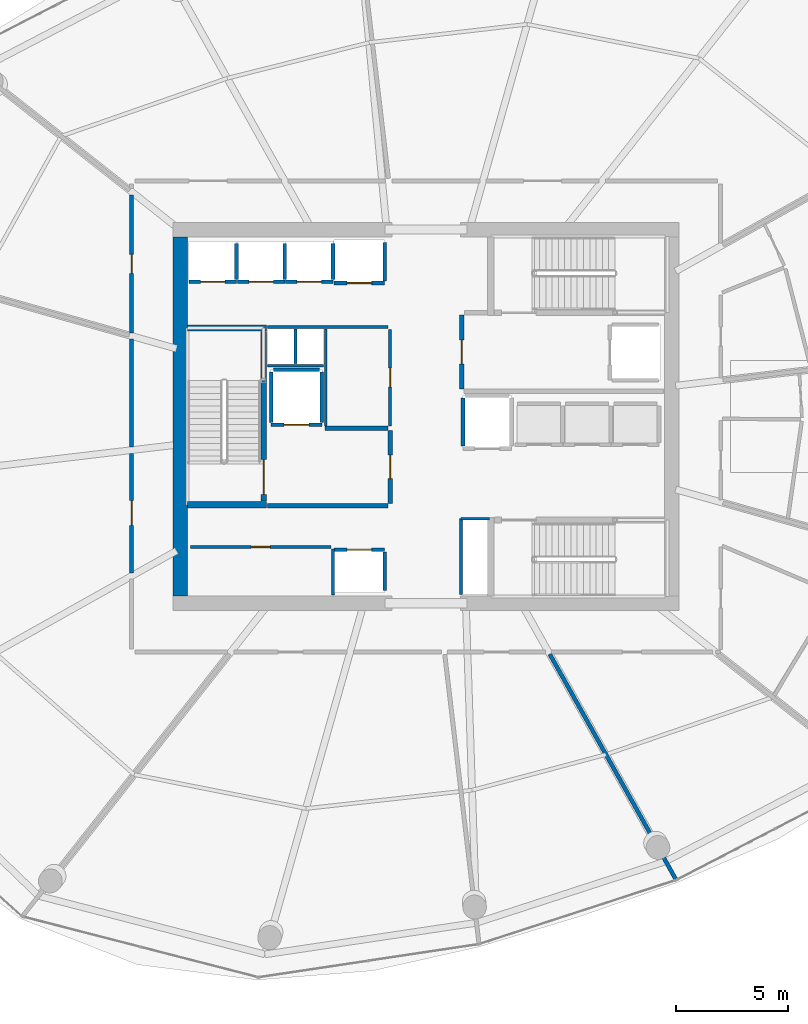
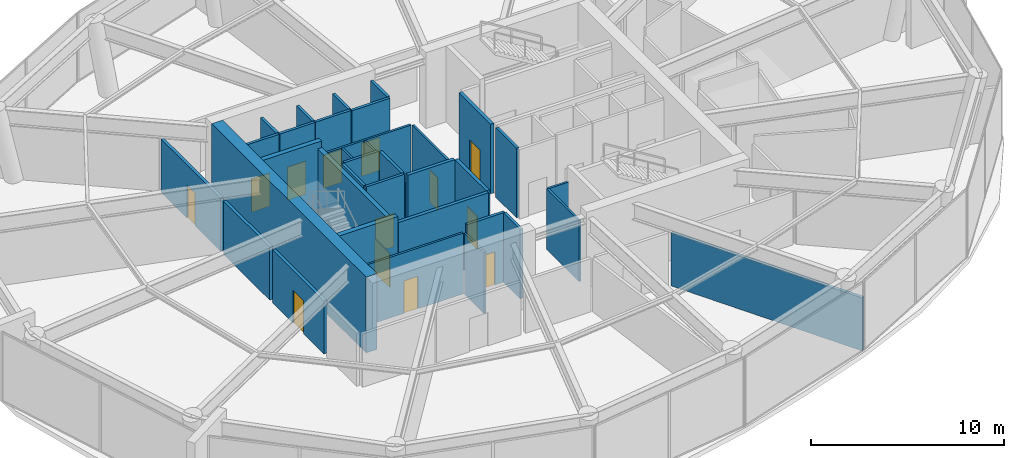
# One storey, part 17 of 22: 36 walls, 13 doors, 13 openings.
"""IFC4 building model written with IfcOpenShell, lengths in metres."""

from ifc_helpers import new_model, si_unit, direction, frame, frame_2d, origin, place, context, subcontext, project, spatial, rectangle, extrude, material, layer, layer_set, type_object, element, fill, save


model = new_model("IFC4")

# Units and contexts
model_context = context("Model", 3, precision=1e-05, world=origin(), true_north=direction((0.0, 1.0)))
body_context = subcontext(model_context, "Body", "Model", "MODEL_VIEW")
ifc_project = project(units=[si_unit("LENGTHUNIT", "METRE"), si_unit("AREAUNIT", "SQUARE_METRE"), si_unit("VOLUMEUNIT", "CUBIC_METRE"), si_unit("PLANEANGLEUNIT", "RADIAN"), si_unit("MASSUNIT", "GRAM", prefix="KILO")], contexts=[model_context])

# Site, building, storey
site_placement = place(None, origin())
site = spatial("IfcSite", under=ifc_project, at=site_placement, CompositionType="ELEMENT")
building_placement = place(site_placement, origin())
building = spatial("IfcBuilding", under=site, at=building_placement, Name="Kazma Halo Residences", CompositionType="ELEMENT")
storey_placement = place(building_placement, frame((0.0, 0.0, 231.89990234375)))
storey = spatial("IfcBuildingStorey", under=building, at=storey_placement, Name="L58", CompositionType="ELEMENT", Elevation=231.89990234375)

# Walls
ifc_material_1 = material(Name="Concrete C60/75", Category="concrete")
ifc_layer_1 = layer(ifc_material_1, 0.64990234375)
ifc_layer_set_1 = layer_set([ifc_layer_1], Name="Concrete C60/75")
wall_type_1 = type_object("IfcWallType", Name="WL-CORE-650", PredefinedType="SHEAR", material=ifc_layer_set_1)
wall_1_placement = place(storey_placement, frame((37.47509765625, 34.0, 0.0), z_axis=(0.0, 0.0, 1.0), x_axis=(0.0, 1.0, 0.0)))
element("IfcWall", 1, at=wall_1_placement, inside=storey, type_object=wall_type_1, Name="L58 central core shear wall W", PredefinedType="SHEAR", context=body_context, shape_type="SweptSolid", body=[
    extrude(rectangle(XDim=16.0, YDim=0.64990234375, at=frame_2d((8.0, 0.0))), origin(), (0.0, 0.0, 1.0), 4.800048828125),
])
ifc_layer_2 = layer(ifc_material_1, 0.280029296875)
ifc_layer_set_2 = layer_set([ifc_layer_2], Name="Concrete C60/75")
wall_type_2 = type_object("IfcWallType", Name="WL-CORE-ST-280", PredefinedType="SHEAR", material=ifc_layer_set_2)
for number, where, z_axis, x_axis, name in (
    (2, (37.800048828125, 38.06005859375, 0.0), (0.0, 0.0, 1.0), (1.0, 0.0, 0.0), "L58 stairwell bearing wall ST01-S"),
    (3, (37.800048828125, 45.93994140625, 0.0), (0.0, 0.0, 1.0), (1.0, 0.0, 0.0), "L58 stairwell bearing wall ST01-N"),
):
    element("IfcWall", number, at=place(storey_placement, frame(where, z_axis=z_axis, x_axis=x_axis)), inside=storey, type_object=wall_type_2, Name=name, PredefinedType="SHEAR", context=body_context, shape_type="SweptSolid", body=[
        extrude(rectangle(XDim=3.5, YDim=0.280029296875, at=frame_2d((1.75, 0.0))), origin(), (0.0, 0.0, 1.0), 4.800048828125),
    ])

# Wall, opening, door
ifc_material_2 = material(Name="Acoustic Twin-Stud Gypsum")
ifc_layer_3 = layer(ifc_material_2, 0.179931640625)
ifc_layer_set_3 = layer_set([ifc_layer_3], Name="Acoustic Twin-Stud Gypsum")
wall_type_3 = type_object("IfcWallType", Name="WL-DEM-180", PredefinedType="PARTITIONING", material=ifc_layer_set_3)
wall_2_placement = place(storey_placement, frame((35.300048828125, 51.871826171875, 0.0), z_axis=(0.0, 0.0, 1.0), x_axis=(0.0, -1.0, 0.0)))
wall_2 = element("IfcWall", 4, at=wall_2_placement, inside=storey, type_object=wall_type_3, Name="L58 Sky Banquet Equipment Store corridor wall", PredefinedType="PARTITIONING", context=body_context, shape_type="SweptSolid", body=[
    extrude(rectangle(XDim=6.150146484375, YDim=0.179931640625, at=frame_2d((3.0751953125, 0.0))), origin(), (0.0, 0.0, 1.0), 3.357177734375),
])
opening_1_placement = place(wall_2_placement, frame((2.64990234375, 0.0, 0.0)))
opening_1 = element("IfcOpeningElement", 5, at=opening_1_placement, cuts=wall_2, Name="Opening DS-850", PredefinedType="OPENING", context=body_context, shape_type="SweptSolid", body=[
    extrude(rectangle(XDim=0.85009765625, YDim=2.06005859375, at=frame_2d((0.425048828125, 1.030029296875))), frame((0.0, 0.099853515625, 0.0), z_axis=(0.0, -1.0, 0.0), x_axis=(1.0, 0.0, 0.0)), (0.0, 0.0, 1.0), 0.199951171875),
])
ifc_material_3 = material(Name="Painted Steel Access Leaf", Category="steel")
door_type_1 = type_object("IfcDoorType", Name="DR-SVC-850", OperationType="NOTDEFINED", PredefinedType="DOOR", material=ifc_material_3)
door_1_placement = place(opening_1_placement, origin())
door_1 = element("IfcDoor", 6, at=door_1_placement, inside=storey, type_object=door_type_1, Name="L58 Sky Banquet Equipment Store entrance door", OperationType="SINGLE_SWING_RIGHT", OverallHeight=2.06005859375, OverallWidth=0.85009765625, PredefinedType="DOOR", context=body_context, shape_type="SweptSolid", body=[
    extrude(rectangle(XDim=0.85009765625, YDim=2.06005859375, at=frame_2d((0.425048828125, 1.030029296875))), frame((0.0, 0.02490234375, 0.0), z_axis=(0.0, -1.0, 0.0), x_axis=(1.0, 0.0, 0.0)), (0.0, 0.0, 1.0), 0.050048828125),
])
fill(opening_1, door_1)

# Wall
wall_3_placement = place(storey_placement, frame((35.300048828125, 45.44189453125, 0.0), z_axis=(0.0, 0.0, 1.0), x_axis=(0.0, -1.0, 0.0)))
element("IfcWall", 7, at=wall_3_placement, inside=storey, type_object=wall_type_3, Name="L58 Panorama Reading Library corridor wall", PredefinedType="PARTITIONING", context=body_context, shape_type="SweptSolid", body=[
    extrude(rectangle(XDim=4.804931640625, YDim=0.179931640625, at=frame_2d((2.40234375, 0.0))), origin(), (0.0, 0.0, 1.0), 3.357177734375),
])

# Wall, opening, door
wall_4_placement = place(storey_placement, frame((35.300048828125, 40.35693359375, 0.0), z_axis=(0.0, 0.0, 1.0), x_axis=(0.0, -1.0, 0.0)))
wall_4 = element("IfcWall", 8, at=wall_4_placement, inside=storey, type_object=wall_type_3, Name="L58 Panorama Reading Library corridor wall", PredefinedType="PARTITIONING", context=body_context, shape_type="SweptSolid", body=[
    extrude(rectangle(XDim=5.329345703125, YDim=0.179931640625, at=frame_2d((2.66455078125, 0.0))), origin(), (0.0, 0.0, 1.0), 3.357177734375),
])
opening_2_placement = place(wall_4_placement, frame((2.114501953125, 0.0, 0.0)))
opening_2 = element("IfcOpeningElement", 9, at=opening_2_placement, cuts=wall_4, Name="Opening DA-1100", PredefinedType="OPENING", context=body_context, shape_type="SweptSolid", body=[
    extrude(rectangle(XDim=1.10009765625, YDim=2.10009765625, at=frame_2d((0.550048828125, 1.050048828125))), frame((0.0, 0.099853515625, 0.0), z_axis=(0.0, -1.0, 0.0), x_axis=(1.0, 0.0, 0.0)), (0.0, 0.0, 1.0), 0.199951171875),
])
ifc_material_4 = material(Name="Acoustic Walnut Fire Leaf")
door_type_2 = type_object("IfcDoorType", Name="DR-FD60-1100", OperationType="NOTDEFINED", PredefinedType="DOOR", material=ifc_material_4)
door_2_placement = place(opening_2_placement, origin())
door_2 = element("IfcDoor", 10, at=door_2_placement, inside=storey, type_object=door_type_2, Name="L58 Panorama Reading Library entrance door", OperationType="SINGLE_SWING_LEFT", OverallHeight=2.10009765625, OverallWidth=1.10009765625, PredefinedType="DOOR", context=body_context, shape_type="SweptSolid", body=[
    extrude(rectangle(XDim=1.10009765625, YDim=2.10009765625, at=frame_2d((0.550048828125, 1.050048828125))), frame((0.0, 0.02490234375, 0.0), z_axis=(0.0, -1.0, 0.0), x_axis=(1.0, 0.0, 0.0)), (0.0, 0.0, 1.0), 0.050048828125),
])
fill(opening_2, door_2)

# Wall
wall_5_placement = place(storey_placement, frame((53.93408203125, 31.404052734375, 0.0), z_axis=(0.0, 0.0, 1.0), x_axis=(0.488614338958, -0.872499872645, 0.0)))
element("IfcWall", 11, at=wall_5_placement, inside=storey, type_object=wall_type_3, Name="L58 radial partition wall 12", PredefinedType="PARTITIONING", context=body_context, shape_type="SweptSolid", body=[
    extrude(rectangle(XDim=11.520751953125, YDim=0.179931640625, at=frame_2d((5.76025390625, 0.0))), origin(), (0.0, 0.0, 1.0), 3.357177734375),
])

# Wall, opening, door
ifc_material_5 = material(Name="Fire-Rated Blockwork Masonry", Category="masonry")
ifc_layer_4 = layer(ifc_material_5, 0.199951171875)
ifc_layer_set_4 = layer_set([ifc_layer_4], Name="Fire-Rated Blockwork Masonry")
wall_type_4 = type_object("IfcWallType", Name="WL-FLB-200", PredefinedType="PARTITIONING", material=ifc_layer_set_4)
wall_6_placement = place(storey_placement, frame((39.97509765625, 47.9951171875, 0.0), z_axis=(0.0, 0.0, 1.0), x_axis=(-1.0, 0.0, 0.0)))
wall_6 = element("IfcWall", 12, at=wall_6_placement, inside=storey, type_object=wall_type_4, Name="L58 lift shaft PM-01 front wall", PredefinedType="PARTITIONING", context=body_context, shape_type="SweptSolid", body=[
    extrude(rectangle(XDim=2.110107421875, YDim=0.159912109375, at=frame_2d((1.05517578125, 0.0))), origin(), (0.0, 0.0, 1.0), 4.400146484375),
])
opening_3_placement = place(wall_6_placement, frame((0.5048828125, 0.0, 0.0)))
opening_3 = element("IfcOpeningElement", 13, at=opening_3_placement, cuts=wall_6, Name="Opening LD-PM-01", PredefinedType="OPENING", context=body_context, shape_type="SweptSolid", body=[
    extrude(rectangle(XDim=1.10009765625, YDim=2.10009765625, at=frame_2d((0.550048828125, 1.050048828125))), frame((0.0, 0.08984375, 0.0), z_axis=(0.0, -1.0, 0.0), x_axis=(1.0, 0.0, 0.0)), (0.0, 0.0, 1.0), 0.179931640625),
])
ifc_material_6 = material(Name="Stainless Steel Fire-Rated", Category="steel")
door_type_3 = type_object("IfcDoorType", Name="DR-LIFT-SLD-1100", OperationType="DOUBLE_DOOR_SLIDING", PredefinedType="DOOR", material=ifc_material_6)
door_3_placement = place(opening_3_placement, origin())
door_3 = element("IfcDoor", 14, at=door_3_placement, inside=storey, type_object=door_type_3, Name="L58 lift PM-01 sliding landing door", OperationType="DOUBLE_DOOR_SLIDING", OverallHeight=2.10009765625, OverallWidth=1.10009765625, PredefinedType="DOOR", context=body_context, shape_type="SweptSolid", body=[
    extrude(rectangle(XDim=1.10009765625, YDim=2.10009765625, at=frame_2d((0.550048828125, 1.050048828125))), frame((0.0, 0.02490234375, 0.0), z_axis=(0.0, -1.0, 0.0), x_axis=(1.0, 0.0, 0.0)), (0.0, 0.0, 1.0), 0.050048828125),
])
fill(opening_3, door_3)

# Wall
wall_7_placement = place(storey_placement, frame((39.97509765625, 48.094970703125, 0.0), z_axis=(0.0, 0.0, 1.0), x_axis=(0.0, 1.0, 0.0)))
element("IfcWall", 15, at=wall_7_placement, inside=storey, type_object=wall_type_4, Name="L58 lift shaft PM-01 side wall E", PredefinedType="PARTITIONING", context=body_context, shape_type="SweptSolid", body=[
    extrude(rectangle(XDim=1.610107421875, YDim=0.159912109375, at=frame_2d((0.80517578125, 0.0))), origin(), (0.0, 0.0, 1.0), 4.400146484375),
])

# Wall, opening, door
wall_8_placement = place(storey_placement, frame((42.125, 47.9951171875, 0.0), z_axis=(0.0, 0.0, 1.0), x_axis=(-1.0, 0.0, 0.0)))
wall_8 = element("IfcWall", 16, at=wall_8_placement, inside=storey, type_object=wall_type_4, Name="L58 lift shaft PM-02 front wall", PredefinedType="PARTITIONING", context=body_context, shape_type="SweptSolid", body=[
    extrude(rectangle(XDim=2.110107421875, YDim=0.159912109375, at=frame_2d((1.05517578125, 0.0))), origin(), (0.0, 0.0, 1.0), 4.400146484375),
])
opening_4_placement = place(wall_8_placement, frame((0.5048828125, 0.0, 0.0)))
opening_4 = element("IfcOpeningElement", 17, at=opening_4_placement, cuts=wall_8, Name="Opening LD-PM-02", PredefinedType="OPENING", context=body_context, shape_type="SweptSolid", body=[
    extrude(rectangle(XDim=1.10009765625, YDim=2.10009765625, at=frame_2d((0.550048828125, 1.050048828125))), frame((0.0, 0.08984375, 0.0), z_axis=(0.0, -1.0, 0.0), x_axis=(1.0, 0.0, 0.0)), (0.0, 0.0, 1.0), 0.179931640625),
])
door_4_placement = place(opening_4_placement, origin())
door_4 = element("IfcDoor", 18, at=door_4_placement, inside=storey, type_object=door_type_3, Name="L58 lift PM-02 sliding landing door", OperationType="DOUBLE_DOOR_SLIDING", OverallHeight=2.10009765625, OverallWidth=1.10009765625, PredefinedType="DOOR", context=body_context, shape_type="SweptSolid", body=[
    extrude(rectangle(XDim=1.10009765625, YDim=2.10009765625, at=frame_2d((0.550048828125, 1.050048828125))), frame((0.0, 0.02490234375, 0.0), z_axis=(0.0, -1.0, 0.0), x_axis=(1.0, 0.0, 0.0)), (0.0, 0.0, 1.0), 0.050048828125),
])
fill(opening_4, door_4)

# Wall
wall_9_placement = place(storey_placement, frame((42.125, 48.094970703125, 0.0), z_axis=(0.0, 0.0, 1.0), x_axis=(0.0, 1.0, 0.0)))
element("IfcWall", 19, at=wall_9_placement, inside=storey, type_object=wall_type_4, Name="L58 lift shaft PM-02 side wall E", PredefinedType="PARTITIONING", context=body_context, shape_type="SweptSolid", body=[
    extrude(rectangle(XDim=1.610107421875, YDim=0.159912109375, at=frame_2d((0.80517578125, 0.0))), origin(), (0.0, 0.0, 1.0), 4.400146484375),
])

# Wall, opening, door
wall_10_placement = place(storey_placement, frame((44.27490234375, 47.9951171875, 0.0), z_axis=(0.0, 0.0, 1.0), x_axis=(-1.0, 0.0, 0.0)))
wall_10 = element("IfcWall", 20, at=wall_10_placement, inside=storey, type_object=wall_type_4, Name="L58 lift shaft PM-03 front wall", PredefinedType="PARTITIONING", context=body_context, shape_type="SweptSolid", body=[
    extrude(rectangle(XDim=2.10986328125, YDim=0.159912109375, at=frame_2d((1.054931640625, 0.0))), origin(), (0.0, 0.0, 1.0), 4.400146484375),
])
opening_5_placement = place(wall_10_placement, frame((0.5048828125, 0.0, 0.0)))
opening_5 = element("IfcOpeningElement", 21, at=opening_5_placement, cuts=wall_10, Name="Opening LD-PM-03", PredefinedType="OPENING", context=body_context, shape_type="SweptSolid", body=[
    extrude(rectangle(XDim=1.10009765625, YDim=2.10009765625, at=frame_2d((0.550048828125, 1.050048828125))), frame((0.0, 0.08984375, 0.0), z_axis=(0.0, -1.0, 0.0), x_axis=(1.0, 0.0, 0.0)), (0.0, 0.0, 1.0), 0.179931640625),
])
door_5_placement = place(opening_5_placement, origin())
door_5 = element("IfcDoor", 22, at=door_5_placement, inside=storey, type_object=door_type_3, Name="L58 lift PM-03 sliding landing door", OperationType="DOUBLE_DOOR_SLIDING", OverallHeight=2.10009765625, OverallWidth=1.10009765625, PredefinedType="DOOR", context=body_context, shape_type="SweptSolid", body=[
    extrude(rectangle(XDim=1.10009765625, YDim=2.10009765625, at=frame_2d((0.550048828125, 1.050048828125))), frame((0.0, 0.02490234375, 0.0), z_axis=(0.0, -1.0, 0.0), x_axis=(1.0, 0.0, 0.0)), (0.0, 0.0, 1.0), 0.050048828125),
])
fill(opening_5, door_5)

# Wall
wall_11_placement = place(storey_placement, frame((44.27490234375, 48.094970703125, 0.0), z_axis=(0.0, 0.0, 1.0), x_axis=(0.0, 1.0, 0.0)))
element("IfcWall", 23, at=wall_11_placement, inside=storey, type_object=wall_type_4, Name="L58 lift shaft PM-03 side wall E", PredefinedType="PARTITIONING", context=body_context, shape_type="SweptSolid", body=[
    extrude(rectangle(XDim=1.610107421875, YDim=0.159912109375, at=frame_2d((0.80517578125, 0.0))), origin(), (0.0, 0.0, 1.0), 4.400146484375),
])

# Wall, opening, door
wall_12_placement = place(storey_placement, frame((46.580078125, 47.945068359375, 0.0), z_axis=(0.0, 0.0, 1.0), x_axis=(-1.0, 0.0, 0.0)))
wall_12 = element("IfcWall", 24, at=wall_12_placement, inside=storey, type_object=wall_type_4, Name="L58 lift shaft PX-01 front wall", PredefinedType="PARTITIONING", context=body_context, shape_type="SweptSolid", body=[
    extrude(rectangle(XDim=2.260009765625, YDim=0.159912109375, at=frame_2d((1.1298828125, 0.0))), origin(), (0.0, 0.0, 1.0), 4.400146484375),
])
opening_6_placement = place(wall_12_placement, frame((0.580078125, 0.0, 0.0)))
opening_6 = element("IfcOpeningElement", 25, at=opening_6_placement, cuts=wall_12, Name="Opening LD-PX-01", PredefinedType="OPENING", context=body_context, shape_type="SweptSolid", body=[
    extrude(rectangle(XDim=1.10009765625, YDim=2.10009765625, at=frame_2d((0.550048828125, 1.050048828125))), frame((0.0, 0.08984375, 0.0), z_axis=(0.0, -1.0, 0.0), x_axis=(1.0, 0.0, 0.0)), (0.0, 0.0, 1.0), 0.179931640625),
])
door_6_placement = place(opening_6_placement, origin())
door_6 = element("IfcDoor", 26, at=door_6_placement, inside=storey, type_object=door_type_3, Name="L58 lift PX-01 sliding landing door", OperationType="DOUBLE_DOOR_SLIDING", OverallHeight=2.10009765625, OverallWidth=1.10009765625, PredefinedType="DOOR", context=body_context, shape_type="SweptSolid", body=[
    extrude(rectangle(XDim=1.10009765625, YDim=2.10009765625, at=frame_2d((0.550048828125, 1.050048828125))), frame((0.0, 0.02490234375, 0.0), z_axis=(0.0, -1.0, 0.0), x_axis=(1.0, 0.0, 0.0)), (0.0, 0.0, 1.0), 0.050048828125),
])
fill(opening_6, door_6)

# Wall
wall_13_placement = place(storey_placement, frame((46.580078125, 48.044921875, 0.0), z_axis=(0.0, 0.0, 1.0), x_axis=(0.0, 1.0, 0.0)))
element("IfcWall", 27, at=wall_13_placement, inside=storey, type_object=wall_type_4, Name="L58 lift shaft PX-01 side wall E", PredefinedType="PARTITIONING", context=body_context, shape_type="SweptSolid", body=[
    extrude(rectangle(XDim=1.7099609375, YDim=0.159912109375, at=frame_2d((0.85498046875, 0.0))), origin(), (0.0, 0.0, 1.0), 4.400146484375),
])

# Wall, opening, door
wall_14_placement = place(storey_placement, frame((44.320068359375, 36.054931640625, 0.0), z_axis=(0.0, 0.0, 1.0), x_axis=(1.0, 0.0, 0.0)))
wall_14 = element("IfcWall", 28, at=wall_14_placement, inside=storey, type_object=wall_type_4, Name="L58 lift shaft PX-02 front wall", PredefinedType="PARTITIONING", context=body_context, shape_type="SweptSolid", body=[
    extrude(rectangle(XDim=2.260009765625, YDim=0.159912109375, at=frame_2d((1.1298828125, 0.0))), origin(), (0.0, 0.0, 1.0), 4.400146484375),
])
opening_7_placement = place(wall_14_placement, frame((0.580078125, 0.0, 0.0)))
opening_7 = element("IfcOpeningElement", 29, at=opening_7_placement, cuts=wall_14, Name="Opening LD-PX-02", PredefinedType="OPENING", context=body_context, shape_type="SweptSolid", body=[
    extrude(rectangle(XDim=1.10009765625, YDim=2.10009765625, at=frame_2d((0.550048828125, 1.050048828125))), frame((0.0, 0.08984375, 0.0), z_axis=(0.0, -1.0, 0.0), x_axis=(1.0, 0.0, 0.0)), (0.0, 0.0, 1.0), 0.179931640625),
])
door_7_placement = place(opening_7_placement, origin())
door_7 = element("IfcDoor", 30, at=door_7_placement, inside=storey, type_object=door_type_3, Name="L58 lift PX-02 sliding landing door", OperationType="DOUBLE_DOOR_SLIDING", OverallHeight=2.10009765625, OverallWidth=1.10009765625, PredefinedType="DOOR", context=body_context, shape_type="SweptSolid", body=[
    extrude(rectangle(XDim=1.10009765625, YDim=2.10009765625, at=frame_2d((0.550048828125, 1.050048828125))), frame((0.0, 0.02490234375, 0.0), z_axis=(0.0, -1.0, 0.0), x_axis=(1.0, 0.0, 0.0)), (0.0, 0.0, 1.0), 0.050048828125),
])
fill(opening_7, door_7)

# Wall
wall_15_placement = place(storey_placement, frame((46.580078125, 34.2451171875, 0.0), z_axis=(0.0, 0.0, 1.0), x_axis=(0.0, 1.0, 0.0)))
element("IfcWall", 31, at=wall_15_placement, inside=storey, type_object=wall_type_4, Name="L58 lift shaft PX-02 side wall E", PredefinedType="PARTITIONING", context=body_context, shape_type="SweptSolid", body=[
    extrude(rectangle(XDim=1.7099609375, YDim=0.159912109375, at=frame_2d((0.85498046875, 0.0))), origin(), (0.0, 0.0, 1.0), 4.400146484375),
])

# Wall, opening, door
wall_16_placement = place(storey_placement, frame((43.780029296875, 41.6201171875, 0.0), z_axis=(0.0, 0.0, 1.0), x_axis=(-1.0, 0.0, 0.0)))
wall_16 = element("IfcWall", 32, at=wall_16_placement, inside=storey, type_object=wall_type_4, Name="L58 lift shaft FL-01 front wall", PredefinedType="PARTITIONING", context=body_context, shape_type="SweptSolid", body=[
    extrude(rectangle(XDim=2.260009765625, YDim=0.159912109375, at=frame_2d((1.1298828125, 0.0))), origin(), (0.0, 0.0, 1.0), 4.400146484375),
])
opening_8_placement = place(wall_16_placement, frame((0.580078125, 0.0, 0.0)))
opening_8 = element("IfcOpeningElement", 33, at=opening_8_placement, cuts=wall_16, Name="Opening LD-FL-01", PredefinedType="OPENING", context=body_context, shape_type="SweptSolid", body=[
    extrude(rectangle(XDim=1.10009765625, YDim=2.10009765625, at=frame_2d((0.550048828125, 1.050048828125))), frame((0.0, 0.08984375, 0.0), z_axis=(0.0, -1.0, 0.0), x_axis=(1.0, 0.0, 0.0)), (0.0, 0.0, 1.0), 0.179931640625),
])
door_8_placement = place(opening_8_placement, origin())
door_8 = element("IfcDoor", 34, at=door_8_placement, inside=storey, type_object=door_type_3, Name="L58 lift FL-01 sliding landing door", OperationType="DOUBLE_DOOR_SLIDING", OverallHeight=2.10009765625, OverallWidth=1.10009765625, PredefinedType="DOOR", context=body_context, shape_type="SweptSolid", body=[
    extrude(rectangle(XDim=1.10009765625, YDim=2.10009765625, at=frame_2d((0.550048828125, 1.050048828125))), frame((0.0, 0.02490234375, 0.0), z_axis=(0.0, -1.0, 0.0), x_axis=(1.0, 0.0, 0.0)), (0.0, 0.0, 1.0), 0.050048828125),
])
fill(opening_8, door_8)

# Walls
for number, where, z_axis, x_axis, name in (
    (35, (43.780029296875, 41.719970703125, 0.0), (0.0, 0.0, 1.0), (0.0, 1.0, 0.0), "L58 lift shaft FL-01 side wall E"),
    (36, (41.52001953125, 41.719970703125, 0.0), (0.0, 0.0, 1.0), (0.0, 1.0, 0.0), "L58 lift shaft FL-01 side wall W"),
):
    element("IfcWall", number, at=place(storey_placement, frame(where, z_axis=z_axis, x_axis=x_axis)), inside=storey, type_object=wall_type_4, Name=name, PredefinedType="PARTITIONING", context=body_context, shape_type="SweptSolid", body=[
        extrude(rectangle(XDim=2.260009765625, YDim=0.159912109375, at=frame_2d((1.1298828125, 0.0))), origin(), (0.0, 0.0, 1.0), 4.400146484375),
    ])
wall_17_placement = place(storey_placement, frame((41.6201171875, 44.080078125, 0.0), z_axis=(0.0, 0.0, 1.0), x_axis=(1.0, 0.0, 0.0)))
element("IfcWall", 37, at=wall_17_placement, inside=storey, type_object=wall_type_4, Name="L58 lift shaft FL-01 side wall N", PredefinedType="PARTITIONING", context=body_context, shape_type="SweptSolid", body=[
    extrude(rectangle(XDim=2.059814453125, YDim=0.159912109375, at=frame_2d((1.02978515625, 0.0))), origin(), (0.0, 0.0, 1.0), 4.400146484375),
])
wall_18_placement = place(storey_placement, frame((50.070068359375, 40.669921875, 0.0), z_axis=(0.0, 0.0, 1.0), x_axis=(0.0, 1.0, 0.0)))
element("IfcWall", 38, at=wall_18_placement, inside=storey, type_object=wall_type_4, Name="L58 lift shaft SV-01 side wall W", PredefinedType="PARTITIONING", context=body_context, shape_type="SweptSolid", body=[
    extrude(rectangle(XDim=2.16015625, YDim=0.159912109375, at=frame_2d((1.080078125, 0.0))), origin(), (0.0, 0.0, 1.0), 4.400146484375),
])
wall_19_placement = place(storey_placement, frame((41.35009765625, 38.02001953125, 0.0), z_axis=(0.0, 0.0, 1.0), x_axis=(1.0, 0.0, 0.0)))
element("IfcWall", 39, at=wall_19_placement, inside=storey, type_object=wall_type_4, Name="L58 west firefighting lobby south smoke wall", PredefinedType="PARTITIONING", context=body_context, shape_type="SweptSolid", body=[
    extrude(rectangle(XDim=5.369873046875, YDim=0.199951171875, at=frame_2d((2.68505859375, 0.0))), origin(), (0.0, 0.0, 1.0), 4.400146484375),
])
wall_20_placement = place(storey_placement, frame((43.919921875, 41.47998046875, 0.0), z_axis=(0.0, 0.0, 1.0), x_axis=(1.0, 0.0, 0.0)))
element("IfcWall", 40, at=wall_20_placement, inside=storey, type_object=wall_type_4, Name="L58 west firefighting lobby north smoke wall", PredefinedType="PARTITIONING", context=body_context, shape_type="SweptSolid", body=[
    extrude(rectangle(XDim=2.800048828125, YDim=0.199951171875, at=frame_2d((1.39990234375, 0.0))), origin(), (0.0, 0.0, 1.0), 4.400146484375),
])

# Wall, opening, door
wall_21_placement = place(storey_placement, frame((46.820068359375, 38.1201171875, 0.0), z_axis=(0.0, 0.0, 1.0), x_axis=(0.0, 1.0, 0.0)))
wall_21 = element("IfcWall", 41, at=wall_21_placement, inside=storey, type_object=wall_type_4, Name="L58 west firefighting lobby smoke wall", PredefinedType="PARTITIONING", context=body_context, shape_type="SweptSolid", body=[
    extrude(rectangle(XDim=3.259765625, YDim=0.199951171875, at=frame_2d((1.6298828125, 0.0))), origin(), (0.0, 0.0, 1.0), 4.400146484375),
])
opening_9_placement = place(wall_21_placement, frame((1.10498046875, 0.0, 0.0)))
opening_9 = element("IfcOpeningElement", 42, at=opening_9_placement, cuts=wall_21, Name="Opening D-FLW", PredefinedType="OPENING", context=body_context, shape_type="SweptSolid", body=[
    extrude(rectangle(XDim=1.050048828125, YDim=2.10009765625, at=frame_2d((0.52490234375, 1.050048828125))), frame((0.0, 0.10986328125, 0.0), z_axis=(0.0, -1.0, 0.0), x_axis=(1.0, 0.0, 0.0)), (0.0, 0.0, 1.0), 0.219970703125),
])
ifc_material_7 = material(Name="Fire-Rated Steel Leaf", Category="steel")
door_type_4 = type_object("IfcDoorType", Name="DR-FD90-1050", OperationType="NOTDEFINED", PredefinedType="DOOR", material=ifc_material_7)
door_9_placement = place(opening_9_placement, origin())
door_9 = element("IfcDoor", 43, at=door_9_placement, inside=storey, type_object=door_type_4, Name="L58 west firefighting lobby smoke door", OperationType="SINGLE_SWING_LEFT", OverallHeight=2.10009765625, OverallWidth=1.050048828125, PredefinedType="DOOR", context=body_context, shape_type="SweptSolid", body=[
    extrude(rectangle(XDim=1.050048828125, YDim=2.10009765625, at=frame_2d((0.52490234375, 1.050048828125))), frame((0.0, 0.02490234375, 0.0), z_axis=(0.0, -1.0, 0.0), x_axis=(1.0, 0.0, 0.0)), (0.0, 0.0, 1.0), 0.050048828125),
])
fill(opening_9, door_9)

wall_22_placement = place(storey_placement, frame((50.02001953125, 43.219970703125, 0.0), z_axis=(0.0, 0.0, 1.0), x_axis=(0.0, 1.0, 0.0)))
wall_22 = element("IfcWall", 44, at=wall_22_placement, inside=storey, type_object=wall_type_4, Name="L58 east firefighting lobby smoke wall", PredefinedType="PARTITIONING", context=body_context, shape_type="SweptSolid", body=[
    extrude(rectangle(XDim=3.300048828125, YDim=0.199951171875, at=frame_2d((1.64990234375, 0.0))), origin(), (0.0, 0.0, 1.0), 4.400146484375),
])
opening_10_placement = place(wall_22_placement, frame((1.125, 0.0, 0.0)))
opening_10 = element("IfcOpeningElement", 45, at=opening_10_placement, cuts=wall_22, Name="Opening D-FLE", PredefinedType="OPENING", context=body_context, shape_type="SweptSolid", body=[
    extrude(rectangle(XDim=1.050048828125, YDim=2.10009765625, at=frame_2d((0.52490234375, 1.050048828125))), frame((0.0, 0.10986328125, 0.0), z_axis=(0.0, -1.0, 0.0), x_axis=(1.0, 0.0, 0.0)), (0.0, 0.0, 1.0), 0.219970703125),
])
door_10_placement = place(opening_10_placement, origin())
door_10 = element("IfcDoor", 46, at=door_10_placement, inside=storey, type_object=door_type_4, Name="L58 east firefighting lobby smoke door", OperationType="SINGLE_SWING_RIGHT", OverallHeight=2.10009765625, OverallWidth=1.050048828125, PredefinedType="DOOR", context=body_context, shape_type="SweptSolid", body=[
    extrude(rectangle(XDim=1.050048828125, YDim=2.10009765625, at=frame_2d((0.52490234375, 1.050048828125))), frame((0.0, 0.02490234375, 0.0), z_axis=(0.0, -1.0, 0.0), x_axis=(1.0, 0.0, 0.0)), (0.0, 0.0, 1.0), 0.050048828125),
])
fill(opening_10, door_10)

# Wall
ifc_material_8 = material(Name="Gypsum Plasterboard Partition")
ifc_layer_5 = layer(ifc_material_8, 0.125)
ifc_layer_set_5 = layer_set([ifc_layer_5], Name="Gypsum Plasterboard Partition")
wall_type_5 = type_object("IfcWallType", Name="WL-PART-125", PredefinedType="PARTITIONING", material=ifc_layer_set_5)
wall_23_placement = place(storey_placement, frame((44.280029296875, 34.050048828125, 0.0), z_axis=(0.0, 0.0, 1.0), x_axis=(0.0, 1.0, 0.0)))
element("IfcWall", 47, at=wall_23_placement, inside=storey, type_object=wall_type_5, Name="L58 reclaimed south east wall", PredefinedType="PARTITIONING", context=body_context, shape_type="SweptSolid", body=[
    extrude(rectangle(XDim=2.030029296875, YDim=0.125, at=frame_2d((1.01513671875, 0.0))), origin(), (0.0, 0.0, 1.0), 3.840087890625),
])

# Wall, opening, door
wall_24_placement = place(storey_placement, frame((37.919921875, 36.179931640625, 0.0), z_axis=(0.0, 0.0, 1.0), x_axis=(1.0, 0.0, 0.0)))
wall_24 = element("IfcWall", 48, at=wall_24_placement, inside=storey, type_object=wall_type_5, Name="L58 reclaimed south front wall", PredefinedType="PARTITIONING", context=body_context, shape_type="SweptSolid", body=[
    extrude(rectangle(XDim=6.260009765625, YDim=0.125, at=frame_2d((3.1298828125, 0.0))), origin(), (0.0, 0.0, 1.0), 3.840087890625),
])
opening_11_placement = place(wall_24_placement, frame((2.705078125, 0.0, 0.0)))
opening_11 = element("IfcOpeningElement", 49, at=opening_11_placement, cuts=wall_24, Name="Opening DS-850", PredefinedType="OPENING", context=body_context, shape_type="SweptSolid", body=[
    extrude(rectangle(XDim=0.85009765625, YDim=2.06005859375, at=frame_2d((0.425048828125, 1.030029296875))), frame((0.0, 0.072509765625, 0.0), z_axis=(0.0, -1.0, 0.0), x_axis=(1.0, 0.0, 0.0)), (0.0, 0.0, 1.0), 0.14501953125),
])
door_11_placement = place(opening_11_placement, origin())
door_11 = element("IfcDoor", 50, at=door_11_placement, inside=storey, type_object=door_type_1, Name="L58 reclaimed south service door", OperationType="SINGLE_SWING_LEFT", OverallHeight=2.06005859375, OverallWidth=0.85009765625, PredefinedType="DOOR", context=body_context, shape_type="SweptSolid", body=[
    extrude(rectangle(XDim=0.85009765625, YDim=2.06005859375, at=frame_2d((0.425048828125, 1.030029296875))), frame((0.0, 0.02490234375, 0.0), z_axis=(0.0, -1.0, 0.0), x_axis=(1.0, 0.0, 0.0)), (0.0, 0.0, 1.0), 0.050048828125),
])
fill(opening_11, door_11)

# Walls
wall_25_placement = place(storey_placement, frame((41.360107421875, 45.97998046875, 0.0), z_axis=(0.0, 0.0, 1.0), x_axis=(1.0, 0.0, 0.0)))
element("IfcWall", 51, at=wall_25_placement, inside=storey, type_object=wall_type_5, Name="L58 core north riser wall", PredefinedType="PARTITIONING", context=body_context, shape_type="SweptSolid", body=[
    extrude(rectangle(XDim=5.35986328125, YDim=0.125, at=frame_2d((2.679931640625, 0.0))), origin(), (0.0, 0.0, 1.0), 3.840087890625),
])
wall_26_placement = place(storey_placement, frame((41.360107421875, 44.260009765625, 0.0), z_axis=(0.0, 0.0, 1.0), x_axis=(1.0, 0.0, 0.0)))
element("IfcWall", 52, at=wall_26_placement, inside=storey, type_object=wall_type_5, Name="L58 core riser south wall", PredefinedType="PARTITIONING", context=body_context, shape_type="SweptSolid", body=[
    extrude(rectangle(XDim=2.5, YDim=0.125, at=frame_2d((1.25, 0.0))), origin(), (0.0, 0.0, 1.0), 3.840087890625),
])
wall_27_placement = place(storey_placement, frame((42.60009765625, 44.35009765625, 0.0), z_axis=(0.0, 0.0, 1.0), x_axis=(0.0, 1.0, 0.0)))
element("IfcWall", 53, at=wall_27_placement, inside=storey, type_object=wall_type_5, Name="L58 core riser divider wall", PredefinedType="PARTITIONING", context=body_context, shape_type="SweptSolid", body=[
    extrude(rectangle(XDim=1.5498046875, YDim=0.125, at=frame_2d((0.77490234375, 0.0))), origin(), (0.0, 0.0, 1.0), 3.840087890625),
])
wall_28_placement = place(storey_placement, frame((49.97998046875, 34.06005859375, 0.0), z_axis=(0.0, 0.0, 1.0), x_axis=(0.0, 1.0, 0.0)))
element("IfcWall", 54, at=wall_28_placement, inside=storey, type_object=wall_type_5, Name="L58 standpipe riser wall", PredefinedType="PARTITIONING", context=body_context, shape_type="SweptSolid", body=[
    extrude(rectangle(XDim=3.39990234375, YDim=0.125, at=frame_2d((1.699951171875, 0.0))), origin(), (0.0, 0.0, 1.0), 3.840087890625),
])
wall_29_placement = place(storey_placement, frame((49.97998046875, 37.43994140625, 0.0), z_axis=(0.0, 0.0, 1.0), x_axis=(1.0, 0.0, 0.0)))
element("IfcWall", 55, at=wall_29_placement, inside=storey, type_object=wall_type_5, Name="L58 standpipe riser north wall", PredefinedType="PARTITIONING", context=body_context, shape_type="SweptSolid", body=[
    extrude(rectangle(XDim=1.260009765625, YDim=0.125, at=frame_2d((0.6298828125, 0.0))), origin(), (0.0, 0.0, 1.0), 3.840087890625),
])
wall_30_placement = place(storey_placement, frame((43.949951171875, 41.580078125, 0.0), z_axis=(0.0, 0.0, 1.0), x_axis=(0.0, 1.0, 0.0)))
element("IfcWall", 56, at=wall_30_placement, inside=storey, type_object=wall_type_5, Name="L58 core service west wall", PredefinedType="PARTITIONING", context=body_context, shape_type="SweptSolid", body=[
    extrude(rectangle(XDim=4.31982421875, YDim=0.125, at=frame_2d((2.159912109375, 0.0))), origin(), (0.0, 0.0, 1.0), 3.840087890625),
])

# Wall, opening, door
wall_31_placement = place(storey_placement, frame((46.820068359375, 41.580078125, 0.0), z_axis=(0.0, 0.0, 1.0), x_axis=(0.0, 1.0, 0.0)))
wall_31 = element("IfcWall", 57, at=wall_31_placement, inside=storey, type_object=wall_type_5, Name="L58 core service room east wall", PredefinedType="PARTITIONING", context=body_context, shape_type="SweptSolid", body=[
    extrude(rectangle(XDim=4.2998046875, YDim=0.125, at=frame_2d((2.14990234375, 0.0))), origin(), (0.0, 0.0, 1.0), 3.840087890625),
])
opening_12_placement = place(wall_31_placement, frame((1.72509765625, 0.0, 0.0)))
opening_12 = element("IfcOpeningElement", 58, at=opening_12_placement, cuts=wall_31, Name="Opening DS-850", PredefinedType="OPENING", context=body_context, shape_type="SweptSolid", body=[
    extrude(rectangle(XDim=0.85009765625, YDim=2.06005859375, at=frame_2d((0.425048828125, 1.030029296875))), frame((0.0, 0.072509765625, 0.0), z_axis=(0.0, -1.0, 0.0), x_axis=(1.0, 0.0, 0.0)), (0.0, 0.0, 1.0), 0.14501953125),
])
door_12_placement = place(opening_12_placement, origin())
door_12 = element("IfcDoor", 59, at=door_12_placement, inside=storey, type_object=door_type_1, Name="L58 core service room door", OperationType="SINGLE_SWING_LEFT", OverallHeight=2.06005859375, OverallWidth=0.85009765625, PredefinedType="DOOR", context=body_context, shape_type="SweptSolid", body=[
    extrude(rectangle(XDim=0.85009765625, YDim=2.06005859375, at=frame_2d((0.425048828125, 1.030029296875))), frame((0.0, 0.02490234375, 0.0), z_axis=(0.0, -1.0, 0.0), x_axis=(1.0, 0.0, 0.0)), (0.0, 0.0, 1.0), 0.050048828125),
])
fill(opening_12, door_12)

ifc_material_9 = material(Name="Concrete C50/60", Category="concrete")
ifc_layer_6 = layer(ifc_material_9, 0.25)
ifc_layer_set_6 = layer_set([ifc_layer_6], Name="Concrete C50/60")
wall_type_6 = type_object("IfcWallType", Name="WL-SHF-250", PredefinedType="SOLIDWALL", material=ifc_layer_set_6)
wall_32_placement = place(storey_placement, frame((41.179931640625, 38.219970703125, 0.0), z_axis=(0.0, 0.0, 1.0), x_axis=(0.0, 1.0, 0.0)))
wall_32 = element("IfcWall", 60, at=wall_32_placement, inside=storey, type_object=wall_type_6, Name="L58 exit stair ST-01 enclosure wall", PredefinedType="SOLIDWALL", context=body_context, shape_type="SweptSolid", body=[
    extrude(rectangle(XDim=7.56005859375, YDim=0.25, at=frame_2d((3.780029296875, 0.0))), origin(), (0.0, 0.0, 1.0), 4.400146484375),
])
opening_13_placement = place(wall_32_placement, frame((0.300048828125, 0.0, 0.0)))
opening_13 = element("IfcOpeningElement", 61, at=opening_13_placement, cuts=wall_32, Name="Opening D-ST1", PredefinedType="OPENING", context=body_context, shape_type="SweptSolid", body=[
    extrude(rectangle(XDim=1.550048828125, YDim=2.14990234375, at=frame_2d((0.77490234375, 1.074951171875))), frame((0.0, 0.135009765625, 0.0), z_axis=(0.0, -1.0, 0.0), x_axis=(1.0, 0.0, 0.0)), (0.0, 0.0, 1.0), 0.27001953125),
])
ifc_material_10 = material(Name="Fire-Rated Double Steel Leaf", Category="steel")
door_type_5 = type_object("IfcDoorType", Name="DR-FD90-1550", OperationType="NOTDEFINED", PredefinedType="DOOR", material=ifc_material_10)
door_13_placement = place(opening_13_placement, origin())
door_13 = element("IfcDoor", 62, at=door_13_placement, inside=storey, type_object=door_type_5, Name="L58 exit stair ST-01 fire door", OperationType="DOUBLE_DOOR_SINGLE_SWING", OverallHeight=2.14990234375, OverallWidth=1.550048828125, PredefinedType="DOOR", context=body_context, shape_type="SweptSolid", body=[
    extrude(rectangle(XDim=1.550048828125, YDim=2.14990234375, at=frame_2d((0.77490234375, 1.074951171875))), frame((0.0, 0.02490234375, 0.0), z_axis=(0.0, -1.0, 0.0), x_axis=(1.0, 0.0, 0.0)), (0.0, 0.0, 1.0), 0.050048828125),
])
fill(opening_13, door_13)

save(model, "model.ifc")
